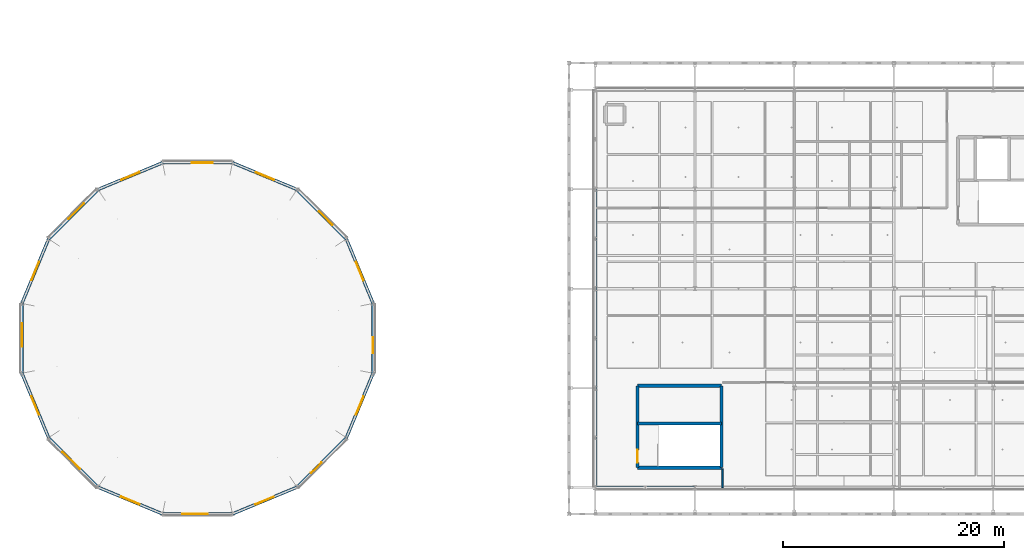
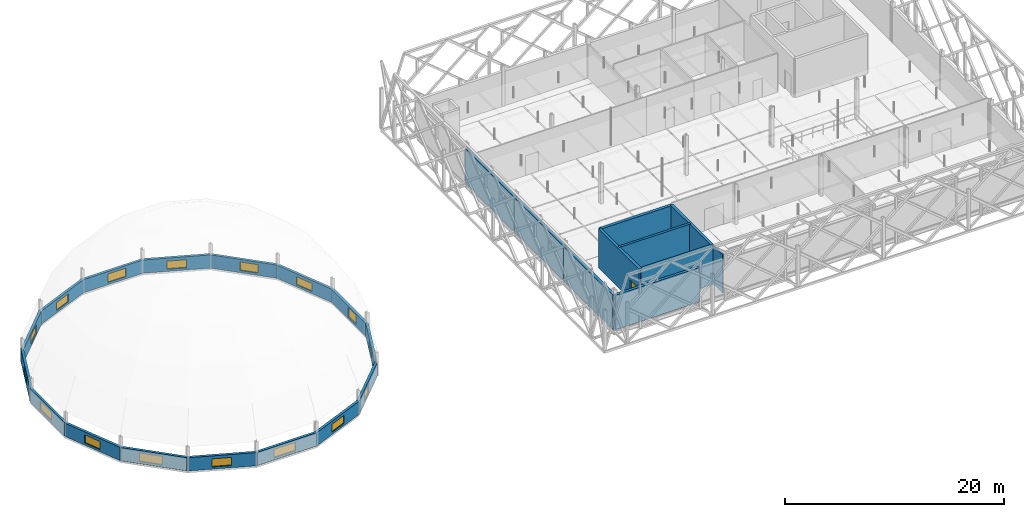
# One storey, part 43 of 66: 26 walls, 16 windows, 1 door, 17 openings.
"""IFC4 building model written with IfcOpenShell, lengths in metres."""

from ifc_helpers import new_model, si_unit, direction, frame, frame_2d, origin, place, context, subcontext, project, spatial, rectangle, extrude, material, layer, layer_set, type_object, element, fill, save


model = new_model("IFC4")

# Units and contexts
model_context = context("Model", 3, precision=1e-05, world=origin(), true_north=direction((0.0, 1.0)))
body_context = subcontext(model_context, "Body", "Model", "MODEL_VIEW")
ifc_project = project(units=[si_unit("LENGTHUNIT", "METRE"), si_unit("AREAUNIT", "SQUARE_METRE"), si_unit("VOLUMEUNIT", "CUBIC_METRE"), si_unit("PLANEANGLEUNIT", "RADIAN"), si_unit("MASSUNIT", "GRAM", prefix="KILO"), si_unit("THERMODYNAMICTEMPERATUREUNIT", "KELVIN"), si_unit("POWERUNIT", "WATT")], contexts=[model_context])

# Site, building, storey
site_placement = place(None, origin())
site = spatial("IfcSite", under=ifc_project, at=site_placement, CompositionType="ELEMENT")
building_placement = place(site_placement, origin())
building = spatial("IfcBuilding", under=site, at=building_placement, Name="Tallowbark Science Centre", CompositionType="ELEMENT")
storey_placement = place(building_placement, frame((0.0, 0.0, 18.89990234375)))
storey = spatial("IfcBuildingStorey", under=building, at=storey_placement, Name="L04", CompositionType="ELEMENT", Elevation=18.89990234375)

# Wall, opening, window
ifc_material_1 = material(Name="Insulated Ribbed Precast Concrete Panel Grade N40 (40 MPa)", Category="concrete")
ifc_layer_1 = layer(ifc_material_1, 0.264892578125)
ifc_layer_set_1 = layer_set([ifc_layer_1], Name="Insulated Ribbed Precast Concrete Panel Grade N40 (40 MPa)")
wall_type_1 = type_object("IfcWallType", Name="EWL-PRC-265", PredefinedType="STANDARD", material=ifc_layer_set_1)
wall_1_placement = place(storey_placement, frame((38.388671875, 21.160400390625, 0.0), z_axis=(0.0, 0.0, 1.0), x_axis=(-0.382683814393, 0.92387937427, 0.0)))
wall_1 = element("IfcWall", 1, at=wall_1_placement, inside=storey, type_object=wall_type_1, Name="Exterior Wall DRM-UP-L04-00", PredefinedType="STANDARD", context=body_context, shape_type="SweptSolid", body=[
    extrude(rectangle(XDim=6.321044921875, YDim=0.264892578125, at=frame_2d((3.16064453125, 0.0))), origin(), (0.0, 0.0, 1.0), 1.47998046875),
])
opening_1_placement = place(wall_1_placement, frame((2.25, 0.0, 0.25)))
opening_1 = element("IfcOpeningElement", 2, at=opening_1_placement, cuts=wall_1, Name="Opening W-15", PredefinedType="OPENING", context=body_context, shape_type="SweptSolid", body=[
    extrude(rectangle(XDim=1.800048828125, YDim=0.89990234375, at=frame_2d((0.89990234375, 0.449951171875))), frame((0.0, 0.142578125, 0.0), z_axis=(0.0, -1.0, 0.0), x_axis=(1.0, 0.0, 0.0)), (0.0, 0.0, 1.0), 0.284912109375),
])
ifc_material_2 = material(Name="Thermally Broken Aluminium and Low-E Double Glazing", Category="aluminium")
window_type_1 = type_object("IfcWindowType", Name="WIN-CLR180x090", PartitioningType="SINGLE_PANEL", PredefinedType="LIGHTDOME", material=ifc_material_2)
window_1_placement = place(opening_1_placement, origin())
window_1 = element("IfcWindow", 3, at=window_1_placement, inside=storey, type_object=window_type_1, Name="Window WIN-L04-0001", OverallHeight=0.89990234375, OverallWidth=1.800048828125, PartitioningType="SINGLE_PANEL", PredefinedType="LIGHTDOME", context=body_context, shape_type="SweptSolid", body=[
    extrude(rectangle(XDim=1.800048828125, YDim=0.89990234375, at=frame_2d((0.89990234375, 0.449951171875))), frame((0.0, 0.030029296875, 0.0), z_axis=(0.0, -1.0, 0.0), x_axis=(1.0, 0.0, 0.0)), (0.0, 0.0, 1.0), 0.06005859375),
])
fill(opening_1, window_1)

wall_2_placement = place(storey_placement, frame((35.9697265625, 27.000244140625, 0.0), z_axis=(0.0, 0.0, 1.0), x_axis=(-0.707106781187, 0.707106781187, 0.0)))
wall_2 = element("IfcWall", 4, at=wall_2_placement, inside=storey, type_object=wall_type_1, Name="Exterior Wall DRM-UP-L04-01", PredefinedType="STANDARD", context=body_context, shape_type="SweptSolid", body=[
    extrude(rectangle(XDim=6.32080078125, YDim=0.264892578125, at=frame_2d((3.160400390625, 0.0))), origin(), (0.0, 0.0, 1.0), 1.47998046875),
])
opening_2_placement = place(wall_2_placement, frame((1.800048828125, 0.0, 0.25)))
opening_2 = element("IfcOpeningElement", 5, at=opening_2_placement, cuts=wall_2, Name="Opening WS-34", PredefinedType="OPENING", context=body_context, shape_type="SweptSolid", body=[
    extrude(rectangle(XDim=1.699951171875, YDim=0.949951171875, at=frame_2d((0.85009765625, 0.47509765625))), frame((0.0, 0.142578125, 0.0), z_axis=(0.0, -1.0, 0.0), x_axis=(1.0, 0.0, 0.0)), (0.0, 0.0, 1.0), 0.284912109375),
])
window_type_2 = type_object("IfcWindowType", Name="WIN-SP-170x095", PartitioningType="SINGLE_PANEL", PredefinedType="WINDOW", material=ifc_material_2)
window_2_placement = place(opening_2_placement, origin())
window_2 = element("IfcWindow", 6, at=window_2_placement, inside=storey, type_object=window_type_2, Name="Acoustic Window WSP-34", OverallHeight=0.949951171875, OverallWidth=1.699951171875, PartitioningType="SINGLE_PANEL", PredefinedType="WINDOW", context=body_context, shape_type="SweptSolid", body=[
    extrude(rectangle(XDim=1.699951171875, YDim=0.949951171875, at=frame_2d((0.85009765625, 0.47509765625))), frame((0.0, 0.030029296875, 0.0), z_axis=(0.0, -1.0, 0.0), x_axis=(1.0, 0.0, 0.0)), (0.0, 0.0, 1.0), 0.06005859375),
])
fill(opening_2, window_2)

wall_3_placement = place(storey_placement, frame((31.500244140625, 31.4697265625, 0.0), z_axis=(0.0, 0.0, 1.0), x_axis=(-0.92387937427, 0.382683814393, 0.0)))
wall_3 = element("IfcWall", 7, at=wall_3_placement, inside=storey, type_object=wall_type_1, Name="Exterior Wall DRM-UP-L04-02", PredefinedType="STANDARD", context=body_context, shape_type="SweptSolid", body=[
    extrude(rectangle(XDim=6.321044921875, YDim=0.264892578125, at=frame_2d((3.16064453125, 0.0))), origin(), (0.0, 0.0, 1.0), 1.47998046875),
])
opening_3_placement = place(wall_3_placement, frame((2.25, 0.0, 0.25)))
opening_3 = element("IfcOpeningElement", 8, at=opening_3_placement, cuts=wall_3, Name="Opening W-15", PredefinedType="OPENING", context=body_context, shape_type="SweptSolid", body=[
    extrude(rectangle(XDim=1.800048828125, YDim=0.89990234375, at=frame_2d((0.89990234375, 0.449951171875))), frame((0.0, 0.142578125, 0.0), z_axis=(0.0, -1.0, 0.0), x_axis=(1.0, 0.0, 0.0)), (0.0, 0.0, 1.0), 0.284912109375),
])
window_3_placement = place(opening_3_placement, origin())
window_3 = element("IfcWindow", 9, at=window_3_placement, inside=storey, type_object=window_type_1, Name="Window WIN-L04-0002", OverallHeight=0.89990234375, OverallWidth=1.800048828125, PartitioningType="SINGLE_PANEL", PredefinedType="LIGHTDOME", context=body_context, shape_type="SweptSolid", body=[
    extrude(rectangle(XDim=1.800048828125, YDim=0.89990234375, at=frame_2d((0.89990234375, 0.449951171875))), frame((0.0, 0.030029296875, 0.0), z_axis=(0.0, -1.0, 0.0), x_axis=(1.0, 0.0, 0.0)), (0.0, 0.0, 1.0), 0.06005859375),
])
fill(opening_3, window_3)

wall_4_placement = place(storey_placement, frame((25.660400390625, 33.888671875, 0.0), z_axis=(0.0, 0.0, 1.0), x_axis=(-1.0, 0.0, 0.0)))
wall_4 = element("IfcWall", 10, at=wall_4_placement, inside=storey, type_object=wall_type_1, Name="Exterior Wall DRM-UP-L04-03", PredefinedType="STANDARD", context=body_context, shape_type="SweptSolid", body=[
    extrude(rectangle(XDim=6.32080078125, YDim=0.264892578125, at=frame_2d((3.160400390625, 0.0))), origin(), (0.0, 0.0, 1.0), 1.47998046875),
])
opening_4_placement = place(wall_4_placement, frame((1.800048828125, 0.0, 0.25)))
opening_4 = element("IfcOpeningElement", 11, at=opening_4_placement, cuts=wall_4, Name="Opening WS-35", PredefinedType="OPENING", context=body_context, shape_type="SweptSolid", body=[
    extrude(rectangle(XDim=1.89990234375, YDim=0.949951171875, at=frame_2d((0.949951171875, 0.47509765625))), frame((0.0, 0.142578125, 0.0), z_axis=(0.0, -1.0, 0.0), x_axis=(1.0, 0.0, 0.0)), (0.0, 0.0, 1.0), 0.284912109375),
])
window_type_3 = type_object("IfcWindowType", Name="WIN-SP-190x095", PartitioningType="SINGLE_PANEL", PredefinedType="WINDOW", material=ifc_material_2)
window_4_placement = place(opening_4_placement, origin())
window_4 = element("IfcWindow", 12, at=window_4_placement, inside=storey, type_object=window_type_3, Name="Acoustic Window WSP-35", OverallHeight=0.949951171875, OverallWidth=1.89990234375, PartitioningType="SINGLE_PANEL", PredefinedType="WINDOW", context=body_context, shape_type="SweptSolid", body=[
    extrude(rectangle(XDim=1.89990234375, YDim=0.949951171875, at=frame_2d((0.949951171875, 0.47509765625))), frame((0.0, 0.030029296875, 0.0), z_axis=(0.0, -1.0, 0.0), x_axis=(1.0, 0.0, 0.0)), (0.0, 0.0, 1.0), 0.06005859375),
])
fill(opening_4, window_4)

wall_5_placement = place(storey_placement, frame((19.339599609375, 33.888671875, 0.0), z_axis=(0.0, 0.0, 1.0), x_axis=(-0.92387937427, -0.382683814393, 0.0)))
wall_5 = element("IfcWall", 13, at=wall_5_placement, inside=storey, type_object=wall_type_1, Name="Exterior Wall DRM-UP-L04-04", PredefinedType="STANDARD", context=body_context, shape_type="SweptSolid", body=[
    extrude(rectangle(XDim=6.321044921875, YDim=0.264892578125, at=frame_2d((3.16064453125, 0.0))), origin(), (0.0, 0.0, 1.0), 1.47998046875),
])
opening_5_placement = place(wall_5_placement, frame((2.25, 0.0, 0.25)))
opening_5 = element("IfcOpeningElement", 14, at=opening_5_placement, cuts=wall_5, Name="Opening W-15", PredefinedType="OPENING", context=body_context, shape_type="SweptSolid", body=[
    extrude(rectangle(XDim=1.800048828125, YDim=0.89990234375, at=frame_2d((0.89990234375, 0.449951171875))), frame((0.0, 0.142578125, 0.0), z_axis=(0.0, -1.0, 0.0), x_axis=(1.0, 0.0, 0.0)), (0.0, 0.0, 1.0), 0.284912109375),
])
window_5_placement = place(opening_5_placement, origin())
window_5 = element("IfcWindow", 15, at=window_5_placement, inside=storey, type_object=window_type_1, Name="Window WIN-L04-0003", OverallHeight=0.89990234375, OverallWidth=1.800048828125, PartitioningType="SINGLE_PANEL", PredefinedType="LIGHTDOME", context=body_context, shape_type="SweptSolid", body=[
    extrude(rectangle(XDim=1.800048828125, YDim=0.89990234375, at=frame_2d((0.89990234375, 0.449951171875))), frame((0.0, 0.030029296875, 0.0), z_axis=(0.0, -1.0, 0.0), x_axis=(1.0, 0.0, 0.0)), (0.0, 0.0, 1.0), 0.06005859375),
])
fill(opening_5, window_5)

wall_6_placement = place(storey_placement, frame((13.499755859375, 31.4697265625, 0.0), z_axis=(0.0, 0.0, 1.0), x_axis=(-0.707106781187, -0.707106781187, 0.0)))
wall_6 = element("IfcWall", 16, at=wall_6_placement, inside=storey, type_object=wall_type_1, Name="Exterior Wall DRM-UP-L04-05", PredefinedType="STANDARD", context=body_context, shape_type="SweptSolid", body=[
    extrude(rectangle(XDim=6.32080078125, YDim=0.264892578125, at=frame_2d((3.160400390625, 0.0))), origin(), (0.0, 0.0, 1.0), 1.47998046875),
])
opening_6_placement = place(wall_6_placement, frame((1.800048828125, 0.0, 0.25)))
opening_6 = element("IfcOpeningElement", 17, at=opening_6_placement, cuts=wall_6, Name="Opening WS-36", PredefinedType="OPENING", context=body_context, shape_type="SweptSolid", body=[
    extrude(rectangle(XDim=2.0, YDim=0.949951171875, at=frame_2d((1.0, 0.47509765625))), frame((0.0, 0.142578125, 0.0), z_axis=(0.0, -1.0, 0.0), x_axis=(1.0, 0.0, 0.0)), (0.0, 0.0, 1.0), 0.284912109375),
])
window_type_4 = type_object("IfcWindowType", Name="WIN-SP-200x095", PartitioningType="SINGLE_PANEL", PredefinedType="WINDOW", material=ifc_material_2)
window_6_placement = place(opening_6_placement, origin())
window_6 = element("IfcWindow", 18, at=window_6_placement, inside=storey, type_object=window_type_4, Name="Acoustic Window WSP-36", OverallHeight=0.949951171875, OverallWidth=2.0, PartitioningType="SINGLE_PANEL", PredefinedType="WINDOW", context=body_context, shape_type="SweptSolid", body=[
    extrude(rectangle(XDim=2.0, YDim=0.949951171875, at=frame_2d((1.0, 0.47509765625))), frame((0.0, 0.030029296875, 0.0), z_axis=(0.0, -1.0, 0.0), x_axis=(1.0, 0.0, 0.0)), (0.0, 0.0, 1.0), 0.06005859375),
])
fill(opening_6, window_6)

wall_7_placement = place(storey_placement, frame((9.0302734375, 27.000244140625, 0.0), z_axis=(0.0, 0.0, 1.0), x_axis=(-0.382683814393, -0.92387937427, 0.0)))
wall_7 = element("IfcWall", 19, at=wall_7_placement, inside=storey, type_object=wall_type_1, Name="Exterior Wall DRM-UP-L04-06", PredefinedType="STANDARD", context=body_context, shape_type="SweptSolid", body=[
    extrude(rectangle(XDim=6.321044921875, YDim=0.264892578125, at=frame_2d((3.16064453125, 0.0))), origin(), (0.0, 0.0, 1.0), 1.47998046875),
])
opening_7_placement = place(wall_7_placement, frame((2.25, 0.0, 0.25)))
opening_7 = element("IfcOpeningElement", 20, at=opening_7_placement, cuts=wall_7, Name="Opening W-15", PredefinedType="OPENING", context=body_context, shape_type="SweptSolid", body=[
    extrude(rectangle(XDim=1.800048828125, YDim=0.89990234375, at=frame_2d((0.89990234375, 0.449951171875))), frame((0.0, 0.142578125, 0.0), z_axis=(0.0, -1.0, 0.0), x_axis=(1.0, 0.0, 0.0)), (0.0, 0.0, 1.0), 0.284912109375),
])
window_7_placement = place(opening_7_placement, origin())
window_7 = element("IfcWindow", 21, at=window_7_placement, inside=storey, type_object=window_type_1, Name="Window WIN-L04-0004", OverallHeight=0.89990234375, OverallWidth=1.800048828125, PartitioningType="SINGLE_PANEL", PredefinedType="LIGHTDOME", context=body_context, shape_type="SweptSolid", body=[
    extrude(rectangle(XDim=1.800048828125, YDim=0.89990234375, at=frame_2d((0.89990234375, 0.449951171875))), frame((0.0, 0.030029296875, 0.0), z_axis=(0.0, -1.0, 0.0), x_axis=(1.0, 0.0, 0.0)), (0.0, 0.0, 1.0), 0.06005859375),
])
fill(opening_7, window_7)

wall_8_placement = place(storey_placement, frame((6.611328125, 21.160400390625, 0.0), z_axis=(0.0, 0.0, 1.0), x_axis=(0.0, -1.0, 0.0)))
wall_8 = element("IfcWall", 22, at=wall_8_placement, inside=storey, type_object=wall_type_1, Name="Exterior Wall DRM-UP-L04-07", PredefinedType="STANDARD", context=body_context, shape_type="SweptSolid", body=[
    extrude(rectangle(XDim=6.32080078125, YDim=0.264892578125, at=frame_2d((3.160400390625, 0.0))), origin(), (0.0, 0.0, 1.0), 1.47998046875),
])
opening_8_placement = place(wall_8_placement, frame((1.800048828125, 0.0, 0.25)))
opening_8 = element("IfcOpeningElement", 23, at=opening_8_placement, cuts=wall_8, Name="Opening WS-37", PredefinedType="OPENING", context=body_context, shape_type="SweptSolid", body=[
    extrude(rectangle(XDim=2.10009765625, YDim=0.949951171875, at=frame_2d((1.050048828125, 0.47509765625))), frame((0.0, 0.142578125, 0.0), z_axis=(0.0, -1.0, 0.0), x_axis=(1.0, 0.0, 0.0)), (0.0, 0.0, 1.0), 0.284912109375),
])
window_type_5 = type_object("IfcWindowType", Name="WIN-SP-210x095", PartitioningType="SINGLE_PANEL", PredefinedType="WINDOW", material=ifc_material_2)
window_8_placement = place(opening_8_placement, origin())
window_8 = element("IfcWindow", 24, at=window_8_placement, inside=storey, type_object=window_type_5, Name="Acoustic Window WSP-37", OverallHeight=0.949951171875, OverallWidth=2.10009765625, PartitioningType="SINGLE_PANEL", PredefinedType="WINDOW", context=body_context, shape_type="SweptSolid", body=[
    extrude(rectangle(XDim=2.10009765625, YDim=0.949951171875, at=frame_2d((1.050048828125, 0.47509765625))), frame((0.0, 0.030029296875, 0.0), z_axis=(0.0, -1.0, 0.0), x_axis=(1.0, 0.0, 0.0)), (0.0, 0.0, 1.0), 0.06005859375),
])
fill(opening_8, window_8)

wall_9_placement = place(storey_placement, frame((6.611328125, 14.839599609375, 0.0), z_axis=(0.0, 0.0, 1.0), x_axis=(0.382683814393, -0.92387937427, 0.0)))
wall_9 = element("IfcWall", 25, at=wall_9_placement, inside=storey, type_object=wall_type_1, Name="Exterior Wall DRM-UP-L04-08", PredefinedType="STANDARD", context=body_context, shape_type="SweptSolid", body=[
    extrude(rectangle(XDim=6.321044921875, YDim=0.264892578125, at=frame_2d((3.16064453125, 0.0))), origin(), (0.0, 0.0, 1.0), 1.47998046875),
])
opening_9_placement = place(wall_9_placement, frame((2.25, 0.0, 0.25)))
opening_9 = element("IfcOpeningElement", 26, at=opening_9_placement, cuts=wall_9, Name="Opening W-15", PredefinedType="OPENING", context=body_context, shape_type="SweptSolid", body=[
    extrude(rectangle(XDim=1.800048828125, YDim=0.89990234375, at=frame_2d((0.89990234375, 0.449951171875))), frame((0.0, 0.142578125, 0.0), z_axis=(0.0, -1.0, 0.0), x_axis=(1.0, 0.0, 0.0)), (0.0, 0.0, 1.0), 0.284912109375),
])
window_9_placement = place(opening_9_placement, origin())
window_9 = element("IfcWindow", 27, at=window_9_placement, inside=storey, type_object=window_type_1, Name="Window WIN-L04-0005", OverallHeight=0.89990234375, OverallWidth=1.800048828125, PartitioningType="SINGLE_PANEL", PredefinedType="LIGHTDOME", context=body_context, shape_type="SweptSolid", body=[
    extrude(rectangle(XDim=1.800048828125, YDim=0.89990234375, at=frame_2d((0.89990234375, 0.449951171875))), frame((0.0, 0.030029296875, 0.0), z_axis=(0.0, -1.0, 0.0), x_axis=(1.0, 0.0, 0.0)), (0.0, 0.0, 1.0), 0.06005859375),
])
fill(opening_9, window_9)

wall_10_placement = place(storey_placement, frame((9.0302734375, 8.999755859375, 0.0), z_axis=(0.0, 0.0, 1.0), x_axis=(0.707106781187, -0.707106781187, 0.0)))
wall_10 = element("IfcWall", 28, at=wall_10_placement, inside=storey, type_object=wall_type_1, Name="Exterior Wall DRM-UP-L04-09", PredefinedType="STANDARD", context=body_context, shape_type="SweptSolid", body=[
    extrude(rectangle(XDim=6.32080078125, YDim=0.264892578125, at=frame_2d((3.160400390625, 0.0))), origin(), (0.0, 0.0, 1.0), 1.47998046875),
])
opening_10_placement = place(wall_10_placement, frame((1.800048828125, 0.0, 0.25)))
opening_10 = element("IfcOpeningElement", 29, at=opening_10_placement, cuts=wall_10, Name="Opening WS-38", PredefinedType="OPENING", context=body_context, shape_type="SweptSolid", body=[
    extrude(rectangle(XDim=2.199951171875, YDim=0.949951171875, at=frame_2d((1.10009765625, 0.47509765625))), frame((0.0, 0.142578125, 0.0), z_axis=(0.0, -1.0, 0.0), x_axis=(1.0, 0.0, 0.0)), (0.0, 0.0, 1.0), 0.284912109375),
])
window_type_6 = type_object("IfcWindowType", Name="WIN-SP-220x095", PartitioningType="SINGLE_PANEL", PredefinedType="WINDOW", material=ifc_material_2)
window_10_placement = place(opening_10_placement, origin())
window_10 = element("IfcWindow", 30, at=window_10_placement, inside=storey, type_object=window_type_6, Name="Acoustic Window WSP-38", OverallHeight=0.949951171875, OverallWidth=2.199951171875, PartitioningType="SINGLE_PANEL", PredefinedType="WINDOW", context=body_context, shape_type="SweptSolid", body=[
    extrude(rectangle(XDim=2.199951171875, YDim=0.949951171875, at=frame_2d((1.10009765625, 0.47509765625))), frame((0.0, 0.030029296875, 0.0), z_axis=(0.0, -1.0, 0.0), x_axis=(1.0, 0.0, 0.0)), (0.0, 0.0, 1.0), 0.06005859375),
])
fill(opening_10, window_10)

wall_11_placement = place(storey_placement, frame((13.499755859375, 4.5302734375, 0.0), z_axis=(0.0, 0.0, 1.0), x_axis=(0.92387937427, -0.382683814393, 0.0)))
wall_11 = element("IfcWall", 31, at=wall_11_placement, inside=storey, type_object=wall_type_1, Name="Exterior Wall DRM-UP-L04-10", PredefinedType="STANDARD", context=body_context, shape_type="SweptSolid", body=[
    extrude(rectangle(XDim=6.321044921875, YDim=0.264892578125, at=frame_2d((3.16064453125, 0.0))), origin(), (0.0, 0.0, 1.0), 1.47998046875),
])
opening_11_placement = place(wall_11_placement, frame((2.25, 0.0, 0.25)))
opening_11 = element("IfcOpeningElement", 32, at=opening_11_placement, cuts=wall_11, Name="Opening W-15", PredefinedType="OPENING", context=body_context, shape_type="SweptSolid", body=[
    extrude(rectangle(XDim=1.800048828125, YDim=0.89990234375, at=frame_2d((0.89990234375, 0.449951171875))), frame((0.0, 0.142578125, 0.0), z_axis=(0.0, -1.0, 0.0), x_axis=(1.0, 0.0, 0.0)), (0.0, 0.0, 1.0), 0.284912109375),
])
window_11_placement = place(opening_11_placement, origin())
window_11 = element("IfcWindow", 33, at=window_11_placement, inside=storey, type_object=window_type_1, Name="Window WIN-L04-0006", OverallHeight=0.89990234375, OverallWidth=1.800048828125, PartitioningType="SINGLE_PANEL", PredefinedType="LIGHTDOME", context=body_context, shape_type="SweptSolid", body=[
    extrude(rectangle(XDim=1.800048828125, YDim=0.89990234375, at=frame_2d((0.89990234375, 0.449951171875))), frame((0.0, 0.030029296875, 0.0), z_axis=(0.0, -1.0, 0.0), x_axis=(1.0, 0.0, 0.0)), (0.0, 0.0, 1.0), 0.06005859375),
])
fill(opening_11, window_11)

wall_12_placement = place(storey_placement, frame((19.339599609375, 2.111328125, 0.0), z_axis=(0.0, 0.0, 1.0), x_axis=(1.0, 0.0, 0.0)))
wall_12 = element("IfcWall", 34, at=wall_12_placement, inside=storey, type_object=wall_type_1, Name="Exterior Wall DRM-UP-L04-11", PredefinedType="STANDARD", context=body_context, shape_type="SweptSolid", body=[
    extrude(rectangle(XDim=6.32080078125, YDim=0.264892578125, at=frame_2d((3.160400390625, 0.0))), origin(), (0.0, 0.0, 1.0), 1.47998046875),
])
opening_12_placement = place(wall_12_placement, frame((1.800048828125, 0.0, 0.25)))
opening_12 = element("IfcOpeningElement", 35, at=opening_12_placement, cuts=wall_12, Name="Opening WS-39", PredefinedType="OPENING", context=body_context, shape_type="SweptSolid", body=[
    extrude(rectangle(XDim=2.300048828125, YDim=0.949951171875, at=frame_2d((1.14990234375, 0.47509765625))), frame((0.0, 0.142578125, 0.0), z_axis=(0.0, -1.0, 0.0), x_axis=(1.0, 0.0, 0.0)), (0.0, 0.0, 1.0), 0.284912109375),
])
window_type_7 = type_object("IfcWindowType", Name="WIN-SP-230x095", PartitioningType="SINGLE_PANEL", PredefinedType="WINDOW", material=ifc_material_2)
window_12_placement = place(opening_12_placement, origin())
window_12 = element("IfcWindow", 36, at=window_12_placement, inside=storey, type_object=window_type_7, Name="Acoustic Window WSP-39", OverallHeight=0.949951171875, OverallWidth=2.300048828125, PartitioningType="SINGLE_PANEL", PredefinedType="WINDOW", context=body_context, shape_type="SweptSolid", body=[
    extrude(rectangle(XDim=2.300048828125, YDim=0.949951171875, at=frame_2d((1.14990234375, 0.47509765625))), frame((0.0, 0.030029296875, 0.0), z_axis=(0.0, -1.0, 0.0), x_axis=(1.0, 0.0, 0.0)), (0.0, 0.0, 1.0), 0.06005859375),
])
fill(opening_12, window_12)

wall_13_placement = place(storey_placement, frame((25.660400390625, 2.111328125, 0.0), z_axis=(0.0, 0.0, 1.0), x_axis=(0.92387937427, 0.382683814393, 0.0)))
wall_13 = element("IfcWall", 37, at=wall_13_placement, inside=storey, type_object=wall_type_1, Name="Exterior Wall DRM-UP-L04-12", PredefinedType="STANDARD", context=body_context, shape_type="SweptSolid", body=[
    extrude(rectangle(XDim=6.321044921875, YDim=0.264892578125, at=frame_2d((3.16064453125, 0.0))), origin(), (0.0, 0.0, 1.0), 1.47998046875),
])
opening_13_placement = place(wall_13_placement, frame((2.25, 0.0, 0.25)))
opening_13 = element("IfcOpeningElement", 38, at=opening_13_placement, cuts=wall_13, Name="Opening W-15", PredefinedType="OPENING", context=body_context, shape_type="SweptSolid", body=[
    extrude(rectangle(XDim=1.800048828125, YDim=0.89990234375, at=frame_2d((0.89990234375, 0.449951171875))), frame((0.0, 0.142578125, 0.0), z_axis=(0.0, -1.0, 0.0), x_axis=(1.0, 0.0, 0.0)), (0.0, 0.0, 1.0), 0.284912109375),
])
window_13_placement = place(opening_13_placement, origin())
window_13 = element("IfcWindow", 39, at=window_13_placement, inside=storey, type_object=window_type_1, Name="Window WIN-L04-0007", OverallHeight=0.89990234375, OverallWidth=1.800048828125, PartitioningType="SINGLE_PANEL", PredefinedType="LIGHTDOME", context=body_context, shape_type="SweptSolid", body=[
    extrude(rectangle(XDim=1.800048828125, YDim=0.89990234375, at=frame_2d((0.89990234375, 0.449951171875))), frame((0.0, 0.030029296875, 0.0), z_axis=(0.0, -1.0, 0.0), x_axis=(1.0, 0.0, 0.0)), (0.0, 0.0, 1.0), 0.06005859375),
])
fill(opening_13, window_13)

wall_14_placement = place(storey_placement, frame((31.500244140625, 4.5302734375, 0.0), z_axis=(0.0, 0.0, 1.0), x_axis=(0.707106781187, 0.707106781187, 0.0)))
wall_14 = element("IfcWall", 40, at=wall_14_placement, inside=storey, type_object=wall_type_1, Name="Exterior Wall DRM-UP-L04-13", PredefinedType="STANDARD", context=body_context, shape_type="SweptSolid", body=[
    extrude(rectangle(XDim=6.32080078125, YDim=0.264892578125, at=frame_2d((3.160400390625, 0.0))), origin(), (0.0, 0.0, 1.0), 1.47998046875),
])
opening_14_placement = place(wall_14_placement, frame((1.800048828125, 0.0, 0.25)))
opening_14 = element("IfcOpeningElement", 41, at=opening_14_placement, cuts=wall_14, Name="Opening WS-40", PredefinedType="OPENING", context=body_context, shape_type="SweptSolid", body=[
    extrude(rectangle(XDim=1.35009765625, YDim=1.050048828125, at=frame_2d((0.675048828125, 0.52490234375))), frame((0.0, 0.142578125, 0.0), z_axis=(0.0, -1.0, 0.0), x_axis=(1.0, 0.0, 0.0)), (0.0, 0.0, 1.0), 0.284912109375),
])
window_type_8 = type_object("IfcWindowType", Name="WIN-SP-135x105", PartitioningType="SINGLE_PANEL", PredefinedType="WINDOW", material=ifc_material_2)
window_14_placement = place(opening_14_placement, origin())
window_14 = element("IfcWindow", 42, at=window_14_placement, inside=storey, type_object=window_type_8, Name="Acoustic Window WSP-40", OverallHeight=1.050048828125, OverallWidth=1.35009765625, PartitioningType="SINGLE_PANEL", PredefinedType="WINDOW", context=body_context, shape_type="SweptSolid", body=[
    extrude(rectangle(XDim=1.35009765625, YDim=1.050048828125, at=frame_2d((0.675048828125, 0.52490234375))), frame((0.0, 0.030029296875, 0.0), z_axis=(0.0, -1.0, 0.0), x_axis=(1.0, 0.0, 0.0)), (0.0, 0.0, 1.0), 0.06005859375),
])
fill(opening_14, window_14)

wall_15_placement = place(storey_placement, frame((35.9697265625, 8.999755859375, 0.0), z_axis=(0.0, 0.0, 1.0), x_axis=(0.382683814393, 0.92387937427, 0.0)))
wall_15 = element("IfcWall", 43, at=wall_15_placement, inside=storey, type_object=wall_type_1, Name="Exterior Wall DRM-UP-L04-14", PredefinedType="STANDARD", context=body_context, shape_type="SweptSolid", body=[
    extrude(rectangle(XDim=6.321044921875, YDim=0.264892578125, at=frame_2d((3.16064453125, 0.0))), origin(), (0.0, 0.0, 1.0), 1.47998046875),
])
opening_15_placement = place(wall_15_placement, frame((2.25, 0.0, 0.25)))
opening_15 = element("IfcOpeningElement", 44, at=opening_15_placement, cuts=wall_15, Name="Opening W-15", PredefinedType="OPENING", context=body_context, shape_type="SweptSolid", body=[
    extrude(rectangle(XDim=1.800048828125, YDim=0.89990234375, at=frame_2d((0.89990234375, 0.449951171875))), frame((0.0, 0.142578125, 0.0), z_axis=(0.0, -1.0, 0.0), x_axis=(1.0, 0.0, 0.0)), (0.0, 0.0, 1.0), 0.284912109375),
])
window_15_placement = place(opening_15_placement, origin())
window_15 = element("IfcWindow", 45, at=window_15_placement, inside=storey, type_object=window_type_1, Name="Window WIN-L04-0008", OverallHeight=0.89990234375, OverallWidth=1.800048828125, PartitioningType="SINGLE_PANEL", PredefinedType="LIGHTDOME", context=body_context, shape_type="SweptSolid", body=[
    extrude(rectangle(XDim=1.800048828125, YDim=0.89990234375, at=frame_2d((0.89990234375, 0.449951171875))), frame((0.0, 0.030029296875, 0.0), z_axis=(0.0, -1.0, 0.0), x_axis=(1.0, 0.0, 0.0)), (0.0, 0.0, 1.0), 0.06005859375),
])
fill(opening_15, window_15)

wall_16_placement = place(storey_placement, frame((38.388671875, 14.839599609375, 0.0), z_axis=(0.0, 0.0, 1.0), x_axis=(0.0, 1.0, 0.0)))
wall_16 = element("IfcWall", 46, at=wall_16_placement, inside=storey, type_object=wall_type_1, Name="Exterior Wall DRM-UP-L04-15", PredefinedType="STANDARD", context=body_context, shape_type="SweptSolid", body=[
    extrude(rectangle(XDim=6.32080078125, YDim=0.264892578125, at=frame_2d((3.160400390625, 0.0))), origin(), (0.0, 0.0, 1.0), 1.47998046875),
])
opening_16_placement = place(wall_16_placement, frame((1.800048828125, 0.0, 0.25)))
opening_16 = element("IfcOpeningElement", 47, at=opening_16_placement, cuts=wall_16, Name="Opening WS-41", PredefinedType="OPENING", context=body_context, shape_type="SweptSolid", body=[
    extrude(rectangle(XDim=1.449951171875, YDim=1.050048828125, at=frame_2d((0.72509765625, 0.52490234375))), frame((0.0, 0.142578125, 0.0), z_axis=(0.0, -1.0, 0.0), x_axis=(1.0, 0.0, 0.0)), (0.0, 0.0, 1.0), 0.284912109375),
])
window_type_9 = type_object("IfcWindowType", Name="WIN-SP-145x105", PartitioningType="SINGLE_PANEL", PredefinedType="WINDOW", material=ifc_material_2)
window_16_placement = place(opening_16_placement, origin())
window_16 = element("IfcWindow", 48, at=window_16_placement, inside=storey, type_object=window_type_9, Name="Acoustic Window WSP-41", OverallHeight=1.050048828125, OverallWidth=1.449951171875, PartitioningType="SINGLE_PANEL", PredefinedType="WINDOW", context=body_context, shape_type="SweptSolid", body=[
    extrude(rectangle(XDim=1.449951171875, YDim=1.050048828125, at=frame_2d((0.72509765625, 0.52490234375))), frame((0.0, 0.030029296875, 0.0), z_axis=(0.0, -1.0, 0.0), x_axis=(1.0, 0.0, 0.0)), (0.0, 0.0, 1.0), 0.06005859375),
])
fill(opening_16, window_16)

# Walls
ifc_material_3 = material(Name="Spotted Gum Acoustic Cassette Wall Assembly", Category="wood")
ifc_layer_2 = layer(ifc_material_3, 0.294921875)
ifc_layer_set_2 = layer_set([ifc_layer_2], Name="Spotted Gum Acoustic Cassette Wall Assembly")
wall_type_2 = type_object("IfcWallType", Name="EWL-TIM-295", PredefinedType="STANDARD", material=ifc_layer_set_2)
for number, where, z_axis, x_axis, name in (
    (49, (58.5, 4.5, 0.0), (0.0, 0.0, 1.0), (1.0, 0.0, 0.0), "Exterior Wall CUB-S-L04-0"),
    (50, (58.5, 13.5, 0.0), (0.0, 0.0, 1.0), (0.0, -1.0, 0.0), "Exterior Wall CUB-W-L04-0"),
    (51, (58.5, 22.5, 0.0), (0.0, 0.0, 1.0), (0.0, -1.0, 0.0), "Exterior Wall CUB-W-L04-1"),
    (52, (58.5, 31.5, 0.0), (0.0, 0.0, 1.0), (0.0, -1.0, 0.0), "Exterior Wall CUB-W-L04-2"),
):
    element("IfcWall", number, at=place(storey_placement, frame(where, z_axis=z_axis, x_axis=x_axis)), inside=storey, type_object=wall_type_2, Name=name, PredefinedType="STANDARD", context=body_context, shape_type="SweptSolid", body=[
        extrude(rectangle(XDim=9.0, YDim=0.294921875, at=frame_2d((4.5, 0.0))), origin(), (0.0, 0.0, 1.0), 3.84619140625),
    ])
ifc_material_4 = material(Name="132 mm Acoustic Laboratory Steel Stud Partition", Category="steel")
ifc_layer_3 = layer(ifc_material_4, 0.132080078125)
ifc_layer_set_3 = layer_set([ifc_layer_3], Name="132 mm Acoustic Laboratory Steel Stud Partition")
wall_type_3 = type_object("IfcWallType", Name="PTW-132", PredefinedType="PARTITIONING", material=ifc_layer_set_3)
wall_17_placement = place(storey_placement, frame((70.0, 4.5, 0.0), z_axis=(0.0, 0.0, 1.0), x_axis=(0.0, 1.0, 0.0)))
element("IfcWall", 53, at=wall_17_placement, inside=storey, type_object=wall_type_3, Name="Interior Partition PTW-L04-0282", PredefinedType="PARTITIONING", context=body_context, shape_type="SweptSolid", body=[
    extrude(rectangle(XDim=1.699951171875, YDim=0.132080078125, at=frame_2d((0.85009765625, 0.0))), origin(), (0.0, 0.0, 1.0), 4.320068359375),
])

# Wall, opening, door
ifc_material_5 = material(Name="Concrete Grade N40 (40 MPa)", Category="concrete")
ifc_layer_4 = layer(ifc_material_5, 0.300048828125)
ifc_layer_set_4 = layer_set([ifc_layer_4], Name="Concrete Grade N40 (40 MPa)")
wall_type_4 = type_object("IfcWallType", Name="WL-CORE-300", PredefinedType="SHEAR", material=ifc_layer_set_4)
wall_18_placement = place(storey_placement, frame((62.300048828125, 6.300048828125, 0.0), z_axis=(0.0, 0.0, 1.0), x_axis=(0.0, 1.0, 0.0)))
wall_18 = element("IfcWall", 54, at=wall_18_placement, inside=storey, type_object=wall_type_4, Name="Core C7 Shear Wall L04 W", PredefinedType="SHEAR", context=body_context, shape_type="SweptSolid", body=[
    extrude(rectangle(XDim=7.39990234375, YDim=0.300048828125, at=frame_2d((3.699951171875, 0.0))), origin(), (0.0, 0.0, 1.0), 4.340087890625),
])
opening_17_placement = place(wall_18_placement, frame((0.449951171875, 0.0, 0.0)))
opening_17 = element("IfcOpeningElement", 55, at=opening_17_placement, cuts=wall_18, Name="Opening FD-01", PredefinedType="OPENING", context=body_context, shape_type="SweptSolid", body=[
    extrude(rectangle(XDim=1.14990234375, YDim=2.14990234375, at=frame_2d((0.574951171875, 1.074951171875))), frame((0.0, 0.16015625, 0.0), z_axis=(0.0, -1.0, 0.0), x_axis=(1.0, 0.0, 0.0)), (0.0, 0.0, 1.0), 0.320068359375),
])
ifc_material_6 = material(Name="Fire-Rated Pressed Steel Frame and Solid Core Leaf", Category="steel")
door_type = type_object("IfcDoorType", Name="FDR-STR-115", OperationType="NOTDEFINED", PredefinedType="DOOR", material=ifc_material_6)
door_placement = place(opening_17_placement, origin())
door = element("IfcDoor", 56, at=door_placement, inside=storey, type_object=door_type, Name="Stair ST-07 Fire Door L04", OperationType="SINGLE_SWING_RIGHT", OverallHeight=2.14990234375, OverallWidth=1.14990234375, PredefinedType="DOOR", context=body_context, shape_type="SweptSolid", body=[
    extrude(rectangle(XDim=1.14990234375, YDim=2.14990234375, at=frame_2d((0.574951171875, 1.074951171875))), frame((0.0, 0.02490234375, 0.0), z_axis=(0.0, -1.0, 0.0), x_axis=(1.0, 0.0, 0.0)), (0.0, 0.0, 1.0), 0.050048828125),
])
fill(opening_17, door)

# Walls
wall_19_placement = place(storey_placement, frame((69.89990234375, 6.300048828125, 0.0), z_axis=(0.0, 0.0, 1.0), x_axis=(0.0, 1.0, 0.0)))
element("IfcWall", 57, at=wall_19_placement, inside=storey, type_object=wall_type_4, Name="Core C7 Shear Wall L04 E", PredefinedType="SHEAR", context=body_context, shape_type="SweptSolid", body=[
    extrude(rectangle(XDim=7.39990234375, YDim=0.300048828125, at=frame_2d((3.699951171875, 0.0))), origin(), (0.0, 0.0, 1.0), 4.340087890625),
])
for number, where, z_axis, x_axis, name in (
    (58, (62.300048828125, 6.300048828125, 0.0), (0.0, 0.0, 1.0), (1.0, 0.0, 0.0), "Core C7 Shear Wall L04 S"),
    (59, (62.300048828125, 13.699951171875, 0.0), (0.0, 0.0, 1.0), (1.0, 0.0, 0.0), "Core C7 Shear Wall L04 N"),
):
    element("IfcWall", number, at=place(storey_placement, frame(where, z_axis=z_axis, x_axis=x_axis)), inside=storey, type_object=wall_type_4, Name=name, PredefinedType="SHEAR", context=body_context, shape_type="SweptSolid", body=[
        extrude(rectangle(XDim=7.599853515625, YDim=0.300048828125, at=frame_2d((3.7998046875, 0.0))), origin(), (0.0, 0.0, 1.0), 4.340087890625),
    ])
ifc_layer_5 = layer(ifc_material_5, 0.25)
ifc_layer_set_5 = layer_set([ifc_layer_5], Name="Concrete Grade N40 (40 MPa)")
wall_type_5 = type_object("IfcWallType", Name="WL-SHAFT-250", PredefinedType="SHEAR", material=ifc_layer_set_5)
wall_20_placement = place(storey_placement, frame((62.300048828125, 10.294921875, 0.0), z_axis=(0.0, 0.0, 1.0), x_axis=(1.0, 0.0, 0.0)))
element("IfcWall", 60, at=wall_20_placement, inside=storey, type_object=wall_type_5, Name="Core C7 Shear Wall L04 MID", PredefinedType="SHEAR", context=body_context, shape_type="SweptSolid", body=[
    extrude(rectangle(XDim=7.599853515625, YDim=0.25, at=frame_2d((3.7998046875, 0.0))), origin(), (0.0, 0.0, 1.0), 4.340087890625),
])

save(model, "model.ifc")
